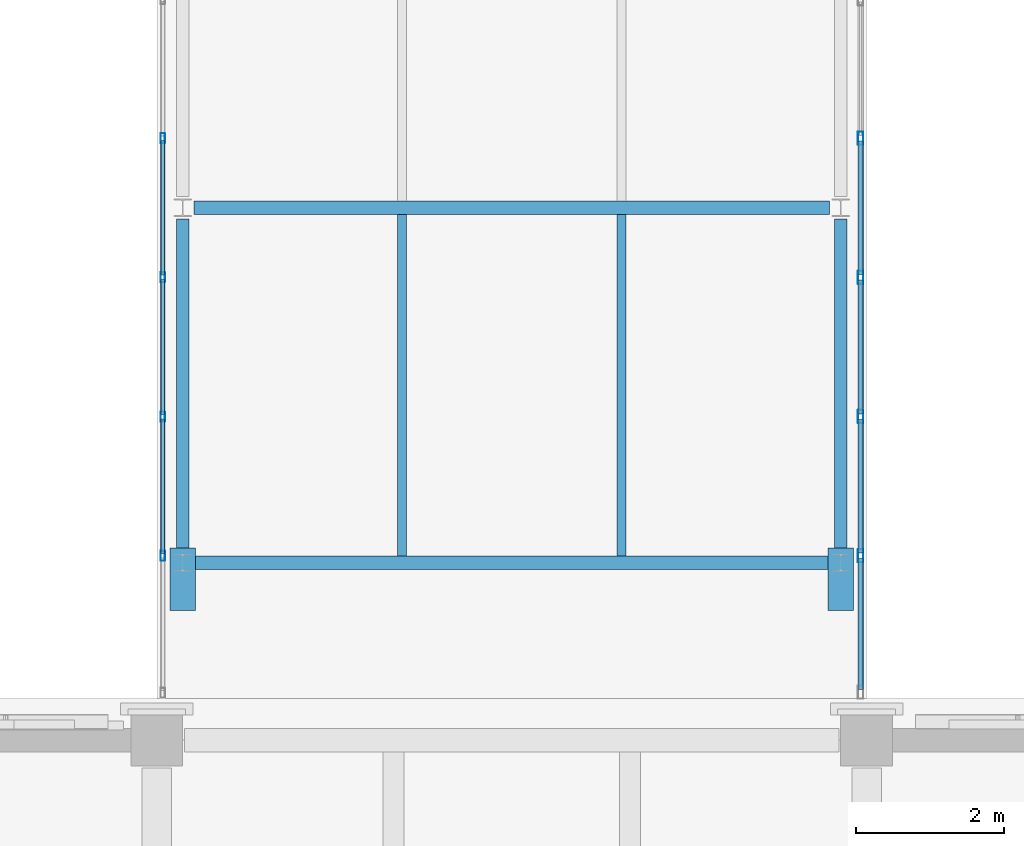
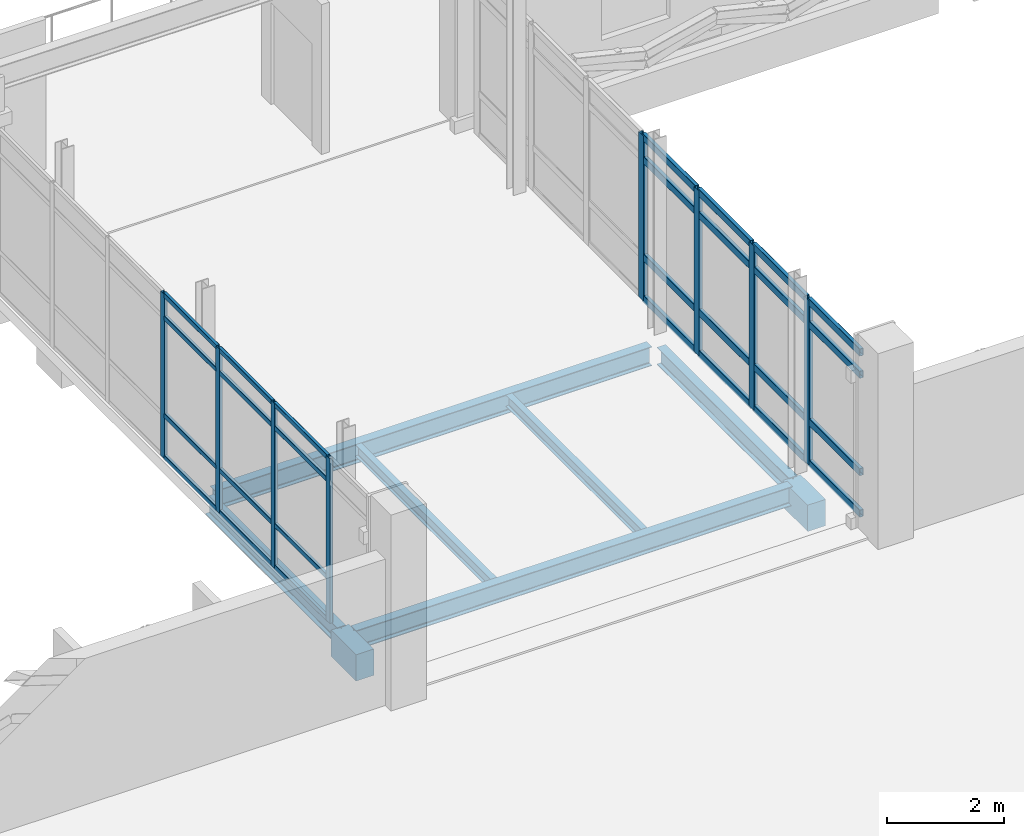
# One storey, part 111 of 180: 36 members, 8 beams, 2 elements without a shape of their own.
"""IFC4 building model written with IfcOpenShell, lengths in metres."""

from ifc_helpers import new_model, si_unit, direction, frame, origin, origin_2d, place, context, subcontext, project, spatial, rectangle, hollow_rectangle, i_section, extrude, material, layer, layer_set, material_profile, profile_set, type_object, element, aggregate, save


model = new_model("IFC4")

# Units and contexts
model_context = context("Model", 3, precision=1e-05, world=origin(), true_north=direction((0.0, 1.0)))
body_context = subcontext(model_context, "Body", "Model", "MODEL_VIEW")
ifc_project = project(units=[si_unit("LENGTHUNIT", "METRE"), si_unit("AREAUNIT", "SQUARE_METRE"), si_unit("VOLUMEUNIT", "CUBIC_METRE"), si_unit("PLANEANGLEUNIT", "RADIAN"), si_unit("MASSUNIT", "GRAM", prefix="KILO")], contexts=[model_context])

# Site, building, storey
site_placement = place(None, origin())
site = spatial("IfcSite", under=ifc_project, at=site_placement, CompositionType="ELEMENT")
building_placement = place(site_placement, origin())
building = spatial("IfcBuilding", under=site, at=building_placement, Name="Asteropetra Specialist Clinic", CompositionType="ELEMENT")
storey_placement = place(building_placement, frame((0.0, 0.0, 4.419921875)))
storey = spatial("IfcBuildingStorey", under=building, at=storey_placement, Name="L01", CompositionType="ELEMENT", Elevation=4.419921875)

# Beams
ifc_material_1 = material(Name="Concrete C35/45", Category="concrete")
ifc_material_profile_1 = material_profile(ifc_material_1, rectangle(XDim=0.35009765625, YDim=0.550048828125, at=origin_2d()), Name="RCB 350x550")
ifc_profile_set_1 = profile_set([ifc_material_profile_1], Name="Concrete C35/45")
beam_type_1 = type_object("IfcBeamType", Name="BM-RC350x550", PredefinedType="BEAM", material=ifc_profile_set_1)
for number, where, z_axis, x_axis, name in (
    (1, (115.550048828125, 65.0, -0.559814453125), (0.0, -1.0, 0.0), (1.0, 0.0, 0.0), "Bridge Bearing Seat Corbel CRB-25"),
    (2, (124.449951171875, 65.0, -0.559814453125), (0.0, -1.0, 0.0), (1.0, 0.0, 0.0), "Bridge Bearing Seat Corbel CRB-27"),
):
    element("IfcBeam", number, at=place(storey_placement, frame(where, z_axis=z_axis, x_axis=x_axis)), inside=storey, type_object=beam_type_1, Name=name, PredefinedType="BEAM", context=body_context, shape_type="SweptSolid", body=[
        extrude(rectangle(XDim=0.35009765625, YDim=0.550048828125, at=origin_2d()), origin(), (0.0, 0.0, 1.0), 0.85009765625),
    ])
ifc_material_2 = material(Name="Steel S355", Category="steel")
ifc_material_profile_2 = material_profile(ifc_material_2, i_section(OverallWidth=0.169921875, OverallDepth=0.360107421875, WebThickness=0.008056640625, FlangeThickness=0.0126953125, FilletRadius=0.01806640625, at=origin_2d()), Name="IPE 360")
ifc_profile_set_2 = profile_set([ifc_material_profile_2], Name="Steel S355")
beam_type_2 = type_object("IfcBeamType", Name="BM-STL-IPE360", PredefinedType="BEAM", material=ifc_profile_set_2)
for number, where, z_axis, x_axis, name in (
    (3, (115.550048828125, 64.949951171875, -0.419921875), (0.0, 1.0, 0.0), (-1.0, 0.0, 0.0), "Beam BBMS4-0830"),
    (4, (124.449951171875, 64.949951171875, -0.419921875), (0.0, 1.0, 0.0), (-1.0, 0.0, 0.0), "Beam BBMS4-0831"),
):
    element("IfcBeam", number, at=place(storey_placement, frame(where, z_axis=z_axis, x_axis=x_axis)), inside=storey, type_object=beam_type_2, Name=name, PredefinedType="BEAM", context=body_context, shape_type="SweptSolid", body=[
        extrude(i_section(OverallWidth=0.169921875, OverallDepth=0.360107421875, WebThickness=0.008056640625, FlangeThickness=0.0126953125, FilletRadius=0.01806640625, at=origin_2d()), origin(), (0.0, 0.0, 1.0), 4.5),
    ])
ifc_material_3 = material(Name="Steel S355", Category="steel")
ifc_material_profile_3 = material_profile(ifc_material_3, i_section(OverallWidth=0.179931640625, OverallDepth=0.39990234375, WebThickness=0.008544921875, FlangeThickness=0.013427734375, FilletRadius=0.02099609375, at=origin_2d()), Name="IPE 400")
ifc_profile_set_3 = profile_set([ifc_material_profile_3], Name="Steel S355")
beam_type_3 = type_object("IfcBeamType", Name="BM-STL-IPE400", PredefinedType="BEAM", material=ifc_profile_set_3)
for number, where, z_axis, x_axis, name in (
    (5, (115.699951171875, 64.800048828125, -0.43994140625), (1.0, 0.0, 0.0), (0.0, 1.0, 0.0), "Beam BBMS3-0827"),
    (6, (115.699951171875, 69.60009765625, -0.43994140625), (1.0, 0.0, 0.0), (0.0, 1.0, 0.0), "Beam BBMS3-0828"),
):
    element("IfcBeam", number, at=place(storey_placement, frame(where, z_axis=z_axis, x_axis=x_axis)), inside=storey, type_object=beam_type_3, Name=name, PredefinedType="BEAM", context=body_context, shape_type="SweptSolid", body=[
        extrude(i_section(OverallWidth=0.179931640625, OverallDepth=0.39990234375, WebThickness=0.008544921875, FlangeThickness=0.013427734375, FilletRadius=0.02099609375, at=origin_2d()), origin(), (0.0, 0.0, 1.0), 8.60009765625),
    ])

# Curtain wall, members
ifc_material_4 = material(Name="Aluminium and low-E glass", Category="aluminium")
ifc_layer_1 = layer(ifc_material_4, 0.135009765625)
ifc_layer_set_1 = layer_set([ifc_layer_1], Name="Aluminium and low-E glass")
curtain_wall_type_1 = type_object("IfcCurtainWallType", Name="CW-SYS-12", PredefinedType="USERDEFINED", material=ifc_layer_set_1)
curtain_wall_1_placement = place(storey_placement, origin())
curtain_wall_1 = element("IfcCurtainWall", 7, at=curtain_wall_1_placement, inside=storey, type_object=curtain_wall_type_1, Name="Curtain Wall CW-119", ObjectType="STICK GLAZED COLONNADE", PredefinedType="USERDEFINED")
ifc_material_5 = material(Name="Aluminium 6063-T6", Category="aluminium")
ifc_material_profile_4 = material_profile(ifc_material_5, hollow_rectangle(XDim=0.06005859375, YDim=0.135009765625, WallThickness=0.00341796875, InnerFilletRadius=0.00341796875, OuterFilletRadius=0.007080078125, at=origin_2d()), Name="MUL 135x60x3.5")
ifc_profile_set_4 = profile_set([ifc_material_profile_4], Name="Aluminium 6063-T6")
member_type_1 = type_object("IfcMemberType", Name="CWM-135x60", PredefinedType="MULLION", material=ifc_profile_set_4)
member_1_placement = place(storey_placement, frame((115.280029296875, 64.892822265625, 0.0), z_axis=(0.0, 0.0, 1.0), x_axis=(-1.0, 0.0, 0.0)))
member_1 = element("IfcMember", 8, at=member_1_placement, type_object=member_type_1, Name="CW-119 mullion 2", PredefinedType="MULLION", context=body_context, shape_type="SweptSolid", body=[
    extrude(hollow_rectangle(XDim=0.06005859375, YDim=0.135009765625, WallThickness=0.00341796875, InnerFilletRadius=0.00341796875, OuterFilletRadius=0.007080078125, at=origin_2d()), origin(), (0.0, 0.0, 1.0), 3.43017578125),
])
member_2_placement = place(storey_placement, frame((115.280029296875, 66.775634765625, 0.0), z_axis=(0.0, 0.0, 1.0), x_axis=(-1.0, 0.0, 0.0)))
member_2 = element("IfcMember", 9, at=member_2_placement, type_object=member_type_1, Name="CW-119 mullion 3", PredefinedType="MULLION", context=body_context, shape_type="SweptSolid", body=[
    extrude(hollow_rectangle(XDim=0.06005859375, YDim=0.135009765625, WallThickness=0.00341796875, InnerFilletRadius=0.00341796875, OuterFilletRadius=0.007080078125, at=origin_2d()), origin(), (0.0, 0.0, 1.0), 3.43017578125),
])
member_3_placement = place(storey_placement, frame((115.280029296875, 68.65869140625, 0.0), z_axis=(0.0, 0.0, 1.0), x_axis=(-1.0, 0.0, 0.0)))
member_3 = element("IfcMember", 10, at=member_3_placement, type_object=member_type_1, Name="CW-119 mullion 4", PredefinedType="MULLION", context=body_context, shape_type="SweptSolid", body=[
    extrude(hollow_rectangle(XDim=0.06005859375, YDim=0.135009765625, WallThickness=0.00341796875, InnerFilletRadius=0.00341796875, OuterFilletRadius=0.007080078125, at=origin_2d()), origin(), (0.0, 0.0, 1.0), 3.43017578125),
])
member_4_placement = place(storey_placement, frame((115.280029296875, 70.54150390625, 0.0), z_axis=(0.0, 0.0, 1.0), x_axis=(-1.0, 0.0, 0.0)))
member_4 = element("IfcMember", 11, at=member_4_placement, type_object=member_type_1, Name="CW-119 mullion 5", PredefinedType="MULLION", context=body_context, shape_type="SweptSolid", body=[
    extrude(hollow_rectangle(XDim=0.06005859375, YDim=0.135009765625, WallThickness=0.00341796875, InnerFilletRadius=0.00341796875, OuterFilletRadius=0.007080078125, at=origin_2d()), origin(), (0.0, 0.0, 1.0), 3.43017578125),
])

ifc_material_6 = material(Name="Aluminium and low-E glass", Category="aluminium")
ifc_layer_2 = layer(ifc_material_6, 0.179931640625)
ifc_layer_set_2 = layer_set([ifc_layer_2], Name="Aluminium and low-E glass")
curtain_wall_type_2 = type_object("IfcCurtainWallType", Name="CW-SYS-01", PredefinedType="USERDEFINED", material=ifc_layer_set_2)
curtain_wall_2_placement = place(storey_placement, origin())
curtain_wall_2 = element("IfcCurtainWall", 12, at=curtain_wall_2_placement, inside=storey, type_object=curtain_wall_type_2, Name="Curtain Wall CW-120", ObjectType="UNITISED CURTAIN WALL", PredefinedType="USERDEFINED")
ifc_material_7 = material(Name="Aluminium 6063-T6", Category="aluminium")
ifc_material_profile_5 = material_profile(ifc_material_7, hollow_rectangle(XDim=0.074951171875, YDim=0.179931640625, WallThickness=0.00390625, InnerFilletRadius=0.00390625, OuterFilletRadius=0.008056640625, at=origin_2d()), Name="MUL 180x75x4.0")
ifc_profile_set_5 = profile_set([ifc_material_profile_5], Name="Aluminium 6063-T6")
member_type_2 = type_object("IfcMemberType", Name="CWM-180x75", PredefinedType="MULLION", material=ifc_profile_set_5)
member_5_placement = place(storey_placement, frame((124.719970703125, 70.54150390625, 0.0), z_axis=(0.0, 0.0, 1.0), x_axis=(1.0, 0.0, 0.0)))
member_5 = element("IfcMember", 13, at=member_5_placement, type_object=member_type_2, Name="CW-120 mullion 4", PredefinedType="MULLION", context=body_context, shape_type="SweptSolid", body=[
    extrude(hollow_rectangle(XDim=0.074951171875, YDim=0.179931640625, WallThickness=0.00390625, InnerFilletRadius=0.00390625, OuterFilletRadius=0.008056640625, at=origin_2d()), origin(), (0.0, 0.0, 1.0), 3.43017578125),
])
member_6_placement = place(storey_placement, frame((124.719970703125, 68.65869140625, 0.0), z_axis=(0.0, 0.0, 1.0), x_axis=(1.0, 0.0, 0.0)))
member_6 = element("IfcMember", 14, at=member_6_placement, type_object=member_type_2, Name="CW-120 mullion 5", PredefinedType="MULLION", context=body_context, shape_type="SweptSolid", body=[
    extrude(hollow_rectangle(XDim=0.074951171875, YDim=0.179931640625, WallThickness=0.00390625, InnerFilletRadius=0.00390625, OuterFilletRadius=0.008056640625, at=origin_2d()), origin(), (0.0, 0.0, 1.0), 3.43017578125),
])
member_7_placement = place(storey_placement, frame((124.719970703125, 66.775634765625, 0.0), z_axis=(0.0, 0.0, 1.0), x_axis=(1.0, 0.0, 0.0)))
member_7 = element("IfcMember", 15, at=member_7_placement, type_object=member_type_2, Name="CW-120 mullion 6", PredefinedType="MULLION", context=body_context, shape_type="SweptSolid", body=[
    extrude(hollow_rectangle(XDim=0.074951171875, YDim=0.179931640625, WallThickness=0.00390625, InnerFilletRadius=0.00390625, OuterFilletRadius=0.008056640625, at=origin_2d()), origin(), (0.0, 0.0, 1.0), 3.43017578125),
])
member_8_placement = place(storey_placement, frame((124.719970703125, 64.892822265625, 0.0), z_axis=(0.0, 0.0, 1.0), x_axis=(1.0, 0.0, 0.0)))
member_8 = element("IfcMember", 16, at=member_8_placement, type_object=member_type_2, Name="CW-120 mullion 7", PredefinedType="MULLION", context=body_context, shape_type="SweptSolid", body=[
    extrude(hollow_rectangle(XDim=0.074951171875, YDim=0.179931640625, WallThickness=0.00390625, InnerFilletRadius=0.00390625, OuterFilletRadius=0.008056640625, at=origin_2d()), origin(), (0.0, 0.0, 1.0), 3.43017578125),
])

# Member
ifc_material_8 = material(Name="Aluminium 6063-T6", Category="aluminium")
ifc_material_profile_6 = material_profile(ifc_material_8, hollow_rectangle(XDim=0.06005859375, YDim=0.10009765625, WallThickness=0.00341796875, InnerFilletRadius=0.00341796875, OuterFilletRadius=0.007080078125, at=origin_2d()), Name="TRN 100x60x3.5")
ifc_profile_set_6 = profile_set([ifc_material_profile_6], Name="Aluminium 6063-T6")
member_type_3 = type_object("IfcMemberType", Name="CWT-100x60", PredefinedType="USERDEFINED", material=ifc_profile_set_6)
member_9_placement = place(storey_placement, frame((115.280029296875, 64.9228515625, 0.030029296875), z_axis=(0.0, 1.0, 0.0), x_axis=(-1.0, 0.0, 0.0)))
member_9 = element("IfcMember", 17, at=member_9_placement, type_object=member_type_3, Name="CW-119 transom 2.1", ObjectType="TRANSOM", PredefinedType="USERDEFINED", context=body_context, shape_type="SweptSolid", body=[
    extrude(hollow_rectangle(XDim=0.06005859375, YDim=0.10009765625, WallThickness=0.00341796875, InnerFilletRadius=0.00341796875, OuterFilletRadius=0.007080078125, at=origin_2d()), origin(), (0.0, 0.0, 1.0), 1.82275390625),
])

member_10_placement = place(storey_placement, frame((115.280029296875, 64.9228515625, 0.900146484375), z_axis=(0.0, 1.0, 0.0), x_axis=(-1.0, 0.0, 0.0)))
member_10 = element("IfcMember", 18, at=member_10_placement, type_object=member_type_3, Name="CW-119 transom 2.2", ObjectType="TRANSOM", PredefinedType="USERDEFINED", context=body_context, shape_type="SweptSolid", body=[
    extrude(hollow_rectangle(XDim=0.06005859375, YDim=0.10009765625, WallThickness=0.00341796875, InnerFilletRadius=0.00341796875, OuterFilletRadius=0.007080078125, at=origin_2d()), origin(), (0.0, 0.0, 1.0), 1.82275390625),
])

member_11_placement = place(storey_placement, frame((115.280029296875, 64.9228515625, 2.93017578125), z_axis=(0.0, 1.0, 0.0), x_axis=(-1.0, 0.0, 0.0)))
member_11 = element("IfcMember", 19, at=member_11_placement, type_object=member_type_3, Name="CW-119 transom 2.3", ObjectType="TRANSOM", PredefinedType="USERDEFINED", context=body_context, shape_type="SweptSolid", body=[
    extrude(hollow_rectangle(XDim=0.06005859375, YDim=0.10009765625, WallThickness=0.00341796875, InnerFilletRadius=0.00341796875, OuterFilletRadius=0.007080078125, at=origin_2d()), origin(), (0.0, 0.0, 1.0), 1.82275390625),
])

member_12_placement = place(storey_placement, frame((115.280029296875, 64.9228515625, 3.400146484375), z_axis=(0.0, 1.0, 0.0), x_axis=(-1.0, 0.0, 0.0)))
member_12 = element("IfcMember", 20, at=member_12_placement, type_object=member_type_3, Name="CW-119 transom 2.4", ObjectType="TRANSOM", PredefinedType="USERDEFINED", context=body_context, shape_type="SweptSolid", body=[
    extrude(hollow_rectangle(XDim=0.06005859375, YDim=0.10009765625, WallThickness=0.00341796875, InnerFilletRadius=0.00341796875, OuterFilletRadius=0.007080078125, at=origin_2d()), origin(), (0.0, 0.0, 1.0), 1.82275390625),
])

member_13_placement = place(storey_placement, frame((115.280029296875, 66.8056640625, 0.030029296875), z_axis=(0.0, 1.0, 0.0), x_axis=(-1.0, 0.0, 0.0)))
member_13 = element("IfcMember", 21, at=member_13_placement, type_object=member_type_3, Name="CW-119 transom 3.1", ObjectType="TRANSOM", PredefinedType="USERDEFINED", context=body_context, shape_type="SweptSolid", body=[
    extrude(hollow_rectangle(XDim=0.06005859375, YDim=0.10009765625, WallThickness=0.00341796875, InnerFilletRadius=0.00341796875, OuterFilletRadius=0.007080078125, at=origin_2d()), origin(), (0.0, 0.0, 1.0), 1.822998046875),
])

member_14_placement = place(storey_placement, frame((115.280029296875, 66.8056640625, 0.900146484375), z_axis=(0.0, 1.0, 0.0), x_axis=(-1.0, 0.0, 0.0)))
member_14 = element("IfcMember", 22, at=member_14_placement, type_object=member_type_3, Name="CW-119 transom 3.2", ObjectType="TRANSOM", PredefinedType="USERDEFINED", context=body_context, shape_type="SweptSolid", body=[
    extrude(hollow_rectangle(XDim=0.06005859375, YDim=0.10009765625, WallThickness=0.00341796875, InnerFilletRadius=0.00341796875, OuterFilletRadius=0.007080078125, at=origin_2d()), origin(), (0.0, 0.0, 1.0), 1.822998046875),
])

member_15_placement = place(storey_placement, frame((115.280029296875, 66.8056640625, 2.93017578125), z_axis=(0.0, 1.0, 0.0), x_axis=(-1.0, 0.0, 0.0)))
member_15 = element("IfcMember", 23, at=member_15_placement, type_object=member_type_3, Name="CW-119 transom 3.3", ObjectType="TRANSOM", PredefinedType="USERDEFINED", context=body_context, shape_type="SweptSolid", body=[
    extrude(hollow_rectangle(XDim=0.06005859375, YDim=0.10009765625, WallThickness=0.00341796875, InnerFilletRadius=0.00341796875, OuterFilletRadius=0.007080078125, at=origin_2d()), origin(), (0.0, 0.0, 1.0), 1.822998046875),
])

member_16_placement = place(storey_placement, frame((115.280029296875, 66.8056640625, 3.400146484375), z_axis=(0.0, 1.0, 0.0), x_axis=(-1.0, 0.0, 0.0)))
member_16 = element("IfcMember", 24, at=member_16_placement, type_object=member_type_3, Name="CW-119 transom 3.4", ObjectType="TRANSOM", PredefinedType="USERDEFINED", context=body_context, shape_type="SweptSolid", body=[
    extrude(hollow_rectangle(XDim=0.06005859375, YDim=0.10009765625, WallThickness=0.00341796875, InnerFilletRadius=0.00341796875, OuterFilletRadius=0.007080078125, at=origin_2d()), origin(), (0.0, 0.0, 1.0), 1.822998046875),
])

member_17_placement = place(storey_placement, frame((115.280029296875, 68.6884765625, 0.030029296875), z_axis=(0.0, 1.0, 0.0), x_axis=(-1.0, 0.0, 0.0)))
member_17 = element("IfcMember", 25, at=member_17_placement, type_object=member_type_3, Name="CW-119 transom 4.1", ObjectType="TRANSOM", PredefinedType="USERDEFINED", context=body_context, shape_type="SweptSolid", body=[
    extrude(hollow_rectangle(XDim=0.06005859375, YDim=0.10009765625, WallThickness=0.00341796875, InnerFilletRadius=0.00341796875, OuterFilletRadius=0.007080078125, at=origin_2d()), origin(), (0.0, 0.0, 1.0), 1.822998046875),
])

member_18_placement = place(storey_placement, frame((115.280029296875, 68.6884765625, 0.900146484375), z_axis=(0.0, 1.0, 0.0), x_axis=(-1.0, 0.0, 0.0)))
member_18 = element("IfcMember", 26, at=member_18_placement, type_object=member_type_3, Name="CW-119 transom 4.2", ObjectType="TRANSOM", PredefinedType="USERDEFINED", context=body_context, shape_type="SweptSolid", body=[
    extrude(hollow_rectangle(XDim=0.06005859375, YDim=0.10009765625, WallThickness=0.00341796875, InnerFilletRadius=0.00341796875, OuterFilletRadius=0.007080078125, at=origin_2d()), origin(), (0.0, 0.0, 1.0), 1.822998046875),
])

member_19_placement = place(storey_placement, frame((115.280029296875, 68.6884765625, 2.93017578125), z_axis=(0.0, 1.0, 0.0), x_axis=(-1.0, 0.0, 0.0)))
member_19 = element("IfcMember", 27, at=member_19_placement, type_object=member_type_3, Name="CW-119 transom 4.3", ObjectType="TRANSOM", PredefinedType="USERDEFINED", context=body_context, shape_type="SweptSolid", body=[
    extrude(hollow_rectangle(XDim=0.06005859375, YDim=0.10009765625, WallThickness=0.00341796875, InnerFilletRadius=0.00341796875, OuterFilletRadius=0.007080078125, at=origin_2d()), origin(), (0.0, 0.0, 1.0), 1.822998046875),
])

member_20_placement = place(storey_placement, frame((115.280029296875, 68.6884765625, 3.400146484375), z_axis=(0.0, 1.0, 0.0), x_axis=(-1.0, 0.0, 0.0)))
member_20 = element("IfcMember", 28, at=member_20_placement, type_object=member_type_3, Name="CW-119 transom 4.4", ObjectType="TRANSOM", PredefinedType="USERDEFINED", context=body_context, shape_type="SweptSolid", body=[
    extrude(hollow_rectangle(XDim=0.06005859375, YDim=0.10009765625, WallThickness=0.00341796875, InnerFilletRadius=0.00341796875, OuterFilletRadius=0.007080078125, at=origin_2d()), origin(), (0.0, 0.0, 1.0), 1.822998046875),
])

aggregate(curtain_wall_1, [member_1, member_2, member_3, member_4, member_9, member_10, member_11, member_12, member_13, member_14, member_15, member_16, member_17, member_18, member_19, member_20])

ifc_material_9 = material(Name="Aluminium 6063-T6", Category="aluminium")
ifc_material_profile_7 = material_profile(ifc_material_9, hollow_rectangle(XDim=0.074951171875, YDim=0.14990234375, WallThickness=0.00390625, InnerFilletRadius=0.00390625, OuterFilletRadius=0.008056640625, at=origin_2d()), Name="TRN 150x75x4.0")
ifc_profile_set_7 = profile_set([ifc_material_profile_7], Name="Aluminium 6063-T6")
member_type_4 = type_object("IfcMemberType", Name="CWT-150x75", PredefinedType="USERDEFINED", material=ifc_profile_set_7)
member_21_placement = place(storey_placement, frame((124.719970703125, 70.50390625, 0.03759765625), z_axis=(0.0, -1.0, 0.0), x_axis=(1.0, 0.0, 0.0)))
member_21 = element("IfcMember", 29, at=member_21_placement, type_object=member_type_4, Name="CW-120 transom 4.1", ObjectType="TRANSOM", PredefinedType="USERDEFINED", context=body_context, shape_type="SweptSolid", body=[
    extrude(hollow_rectangle(XDim=0.074951171875, YDim=0.14990234375, WallThickness=0.00390625, InnerFilletRadius=0.00390625, OuterFilletRadius=0.008056640625, at=origin_2d()), origin(), (0.0, 0.0, 1.0), 1.807861328125),
])

member_22_placement = place(storey_placement, frame((124.719970703125, 70.50390625, 0.900146484375), z_axis=(0.0, -1.0, 0.0), x_axis=(1.0, 0.0, 0.0)))
member_22 = element("IfcMember", 30, at=member_22_placement, type_object=member_type_4, Name="CW-120 transom 4.2", ObjectType="TRANSOM", PredefinedType="USERDEFINED", context=body_context, shape_type="SweptSolid", body=[
    extrude(hollow_rectangle(XDim=0.074951171875, YDim=0.14990234375, WallThickness=0.00390625, InnerFilletRadius=0.00390625, OuterFilletRadius=0.008056640625, at=origin_2d()), origin(), (0.0, 0.0, 1.0), 1.807861328125),
])

member_23_placement = place(storey_placement, frame((124.719970703125, 70.50390625, 2.93017578125), z_axis=(0.0, -1.0, 0.0), x_axis=(1.0, 0.0, 0.0)))
member_23 = element("IfcMember", 31, at=member_23_placement, type_object=member_type_4, Name="CW-120 transom 4.3", ObjectType="TRANSOM", PredefinedType="USERDEFINED", context=body_context, shape_type="SweptSolid", body=[
    extrude(hollow_rectangle(XDim=0.074951171875, YDim=0.14990234375, WallThickness=0.00390625, InnerFilletRadius=0.00390625, OuterFilletRadius=0.008056640625, at=origin_2d()), origin(), (0.0, 0.0, 1.0), 1.807861328125),
])

member_24_placement = place(storey_placement, frame((124.719970703125, 70.50390625, 3.392578125), z_axis=(0.0, -1.0, 0.0), x_axis=(1.0, 0.0, 0.0)))
member_24 = element("IfcMember", 32, at=member_24_placement, type_object=member_type_4, Name="CW-120 transom 4.4", ObjectType="TRANSOM", PredefinedType="USERDEFINED", context=body_context, shape_type="SweptSolid", body=[
    extrude(hollow_rectangle(XDim=0.074951171875, YDim=0.14990234375, WallThickness=0.00390625, InnerFilletRadius=0.00390625, OuterFilletRadius=0.008056640625, at=origin_2d()), origin(), (0.0, 0.0, 1.0), 1.807861328125),
])

member_25_placement = place(storey_placement, frame((124.719970703125, 68.62109375, 0.03759765625), z_axis=(0.0, -1.0, 0.0), x_axis=(1.0, 0.0, 0.0)))
member_25 = element("IfcMember", 33, at=member_25_placement, type_object=member_type_4, Name="CW-120 transom 5.1", ObjectType="TRANSOM", PredefinedType="USERDEFINED", context=body_context, shape_type="SweptSolid", body=[
    extrude(hollow_rectangle(XDim=0.074951171875, YDim=0.14990234375, WallThickness=0.00390625, InnerFilletRadius=0.00390625, OuterFilletRadius=0.008056640625, at=origin_2d()), origin(), (0.0, 0.0, 1.0), 1.807861328125),
])

member_26_placement = place(storey_placement, frame((124.719970703125, 68.62109375, 0.900146484375), z_axis=(0.0, -1.0, 0.0), x_axis=(1.0, 0.0, 0.0)))
member_26 = element("IfcMember", 34, at=member_26_placement, type_object=member_type_4, Name="CW-120 transom 5.2", ObjectType="TRANSOM", PredefinedType="USERDEFINED", context=body_context, shape_type="SweptSolid", body=[
    extrude(hollow_rectangle(XDim=0.074951171875, YDim=0.14990234375, WallThickness=0.00390625, InnerFilletRadius=0.00390625, OuterFilletRadius=0.008056640625, at=origin_2d()), origin(), (0.0, 0.0, 1.0), 1.807861328125),
])

member_27_placement = place(storey_placement, frame((124.719970703125, 68.62109375, 2.93017578125), z_axis=(0.0, -1.0, 0.0), x_axis=(1.0, 0.0, 0.0)))
member_27 = element("IfcMember", 35, at=member_27_placement, type_object=member_type_4, Name="CW-120 transom 5.3", ObjectType="TRANSOM", PredefinedType="USERDEFINED", context=body_context, shape_type="SweptSolid", body=[
    extrude(hollow_rectangle(XDim=0.074951171875, YDim=0.14990234375, WallThickness=0.00390625, InnerFilletRadius=0.00390625, OuterFilletRadius=0.008056640625, at=origin_2d()), origin(), (0.0, 0.0, 1.0), 1.807861328125),
])

member_28_placement = place(storey_placement, frame((124.719970703125, 68.62109375, 3.392578125), z_axis=(0.0, -1.0, 0.0), x_axis=(1.0, 0.0, 0.0)))
member_28 = element("IfcMember", 36, at=member_28_placement, type_object=member_type_4, Name="CW-120 transom 5.4", ObjectType="TRANSOM", PredefinedType="USERDEFINED", context=body_context, shape_type="SweptSolid", body=[
    extrude(hollow_rectangle(XDim=0.074951171875, YDim=0.14990234375, WallThickness=0.00390625, InnerFilletRadius=0.00390625, OuterFilletRadius=0.008056640625, at=origin_2d()), origin(), (0.0, 0.0, 1.0), 1.807861328125),
])

member_29_placement = place(storey_placement, frame((124.719970703125, 66.73828125, 0.03759765625), z_axis=(0.0, -1.0, 0.0), x_axis=(1.0, 0.0, 0.0)))
member_29 = element("IfcMember", 37, at=member_29_placement, type_object=member_type_4, Name="CW-120 transom 6.1", ObjectType="TRANSOM", PredefinedType="USERDEFINED", context=body_context, shape_type="SweptSolid", body=[
    extrude(hollow_rectangle(XDim=0.074951171875, YDim=0.14990234375, WallThickness=0.00390625, InnerFilletRadius=0.00390625, OuterFilletRadius=0.008056640625, at=origin_2d()), origin(), (0.0, 0.0, 1.0), 1.807861328125),
])

member_30_placement = place(storey_placement, frame((124.719970703125, 66.73828125, 0.900146484375), z_axis=(0.0, -1.0, 0.0), x_axis=(1.0, 0.0, 0.0)))
member_30 = element("IfcMember", 38, at=member_30_placement, type_object=member_type_4, Name="CW-120 transom 6.2", ObjectType="TRANSOM", PredefinedType="USERDEFINED", context=body_context, shape_type="SweptSolid", body=[
    extrude(hollow_rectangle(XDim=0.074951171875, YDim=0.14990234375, WallThickness=0.00390625, InnerFilletRadius=0.00390625, OuterFilletRadius=0.008056640625, at=origin_2d()), origin(), (0.0, 0.0, 1.0), 1.807861328125),
])

member_31_placement = place(storey_placement, frame((124.719970703125, 66.73828125, 2.93017578125), z_axis=(0.0, -1.0, 0.0), x_axis=(1.0, 0.0, 0.0)))
member_31 = element("IfcMember", 39, at=member_31_placement, type_object=member_type_4, Name="CW-120 transom 6.3", ObjectType="TRANSOM", PredefinedType="USERDEFINED", context=body_context, shape_type="SweptSolid", body=[
    extrude(hollow_rectangle(XDim=0.074951171875, YDim=0.14990234375, WallThickness=0.00390625, InnerFilletRadius=0.00390625, OuterFilletRadius=0.008056640625, at=origin_2d()), origin(), (0.0, 0.0, 1.0), 1.807861328125),
])

member_32_placement = place(storey_placement, frame((124.719970703125, 66.73828125, 3.392578125), z_axis=(0.0, -1.0, 0.0), x_axis=(1.0, 0.0, 0.0)))
member_32 = element("IfcMember", 40, at=member_32_placement, type_object=member_type_4, Name="CW-120 transom 6.4", ObjectType="TRANSOM", PredefinedType="USERDEFINED", context=body_context, shape_type="SweptSolid", body=[
    extrude(hollow_rectangle(XDim=0.074951171875, YDim=0.14990234375, WallThickness=0.00390625, InnerFilletRadius=0.00390625, OuterFilletRadius=0.008056640625, at=origin_2d()), origin(), (0.0, 0.0, 1.0), 1.807861328125),
])

member_33_placement = place(storey_placement, frame((124.719970703125, 64.85546875, 0.03759765625), z_axis=(0.0, -1.0, 0.0), x_axis=(1.0, 0.0, 0.0)))
member_33 = element("IfcMember", 41, at=member_33_placement, type_object=member_type_4, Name="CW-120 transom 7.1", ObjectType="TRANSOM", PredefinedType="USERDEFINED", context=body_context, shape_type="SweptSolid", body=[
    extrude(hollow_rectangle(XDim=0.074951171875, YDim=0.14990234375, WallThickness=0.00390625, InnerFilletRadius=0.00390625, OuterFilletRadius=0.008056640625, at=origin_2d()), origin(), (0.0, 0.0, 1.0), 1.7705078125),
])

member_34_placement = place(storey_placement, frame((124.719970703125, 64.85546875, 0.900146484375), z_axis=(0.0, -1.0, 0.0), x_axis=(1.0, 0.0, 0.0)))
member_34 = element("IfcMember", 42, at=member_34_placement, type_object=member_type_4, Name="CW-120 transom 7.2", ObjectType="TRANSOM", PredefinedType="USERDEFINED", context=body_context, shape_type="SweptSolid", body=[
    extrude(hollow_rectangle(XDim=0.074951171875, YDim=0.14990234375, WallThickness=0.00390625, InnerFilletRadius=0.00390625, OuterFilletRadius=0.008056640625, at=origin_2d()), origin(), (0.0, 0.0, 1.0), 1.7705078125),
])

member_35_placement = place(storey_placement, frame((124.719970703125, 64.85546875, 2.93017578125), z_axis=(0.0, -1.0, 0.0), x_axis=(1.0, 0.0, 0.0)))
member_35 = element("IfcMember", 43, at=member_35_placement, type_object=member_type_4, Name="CW-120 transom 7.3", ObjectType="TRANSOM", PredefinedType="USERDEFINED", context=body_context, shape_type="SweptSolid", body=[
    extrude(hollow_rectangle(XDim=0.074951171875, YDim=0.14990234375, WallThickness=0.00390625, InnerFilletRadius=0.00390625, OuterFilletRadius=0.008056640625, at=origin_2d()), origin(), (0.0, 0.0, 1.0), 1.7705078125),
])

member_36_placement = place(storey_placement, frame((124.719970703125, 64.85546875, 3.392578125), z_axis=(0.0, -1.0, 0.0), x_axis=(1.0, 0.0, 0.0)))
member_36 = element("IfcMember", 44, at=member_36_placement, type_object=member_type_4, Name="CW-120 transom 7.4", ObjectType="TRANSOM", PredefinedType="USERDEFINED", context=body_context, shape_type="SweptSolid", body=[
    extrude(hollow_rectangle(XDim=0.074951171875, YDim=0.14990234375, WallThickness=0.00390625, InnerFilletRadius=0.00390625, OuterFilletRadius=0.008056640625, at=origin_2d()), origin(), (0.0, 0.0, 1.0), 1.7705078125),
])

aggregate(curtain_wall_2, [member_5, member_6, member_7, member_8, member_21, member_22, member_23, member_24, member_25, member_26, member_27, member_28, member_29, member_30, member_31, member_32, member_33, member_34, member_35, member_36])

# Beams
ifc_material_10 = material(Name="Steel S355", Category="steel")
ifc_material_profile_8 = material_profile(ifc_material_10, i_section(OverallWidth=0.1201171875, OverallDepth=0.239990234375, WebThickness=0.006103515625, FlangeThickness=0.009765625, FilletRadius=0.014892578125, at=origin_2d()), Name="IPE 240")
ifc_profile_set_8 = profile_set([ifc_material_profile_8], Name="Steel S355")
beam_type_4 = type_object("IfcBeamType", Name="JST-STL-IPE240", PredefinedType="JOIST", material=ifc_profile_set_8)
for number, where, z_axis, x_axis, name in (
    (45, (118.5166015625, 64.889892578125, -0.35986328125), (0.0, 1.0, 0.0), (-1.0, 0.0, 0.0), "Joist JJSTS1-0832"),
    (46, (121.4833984375, 64.889892578125, -0.35986328125), (0.0, 1.0, 0.0), (-1.0, 0.0, 0.0), "Joist JJSTS1-0833"),
):
    element("IfcBeam", number, at=place(storey_placement, frame(where, z_axis=z_axis, x_axis=x_axis)), inside=storey, type_object=beam_type_4, Name=name, PredefinedType="JOIST", context=body_context, shape_type="SweptSolid", body=[
        extrude(i_section(OverallWidth=0.1201171875, OverallDepth=0.239990234375, WebThickness=0.006103515625, FlangeThickness=0.009765625, FilletRadius=0.014892578125, at=origin_2d()), origin(), (0.0, 0.0, 1.0), 4.6201171875),
    ])

save(model, "model.ifc")
